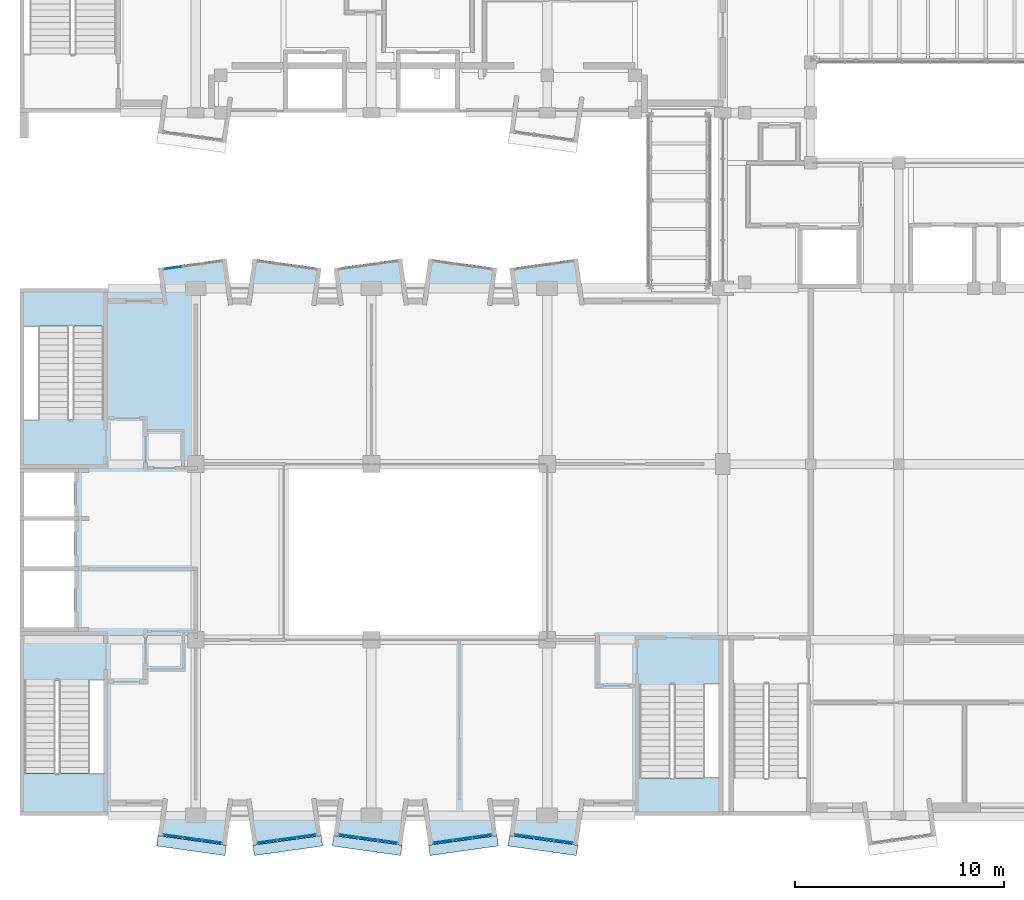
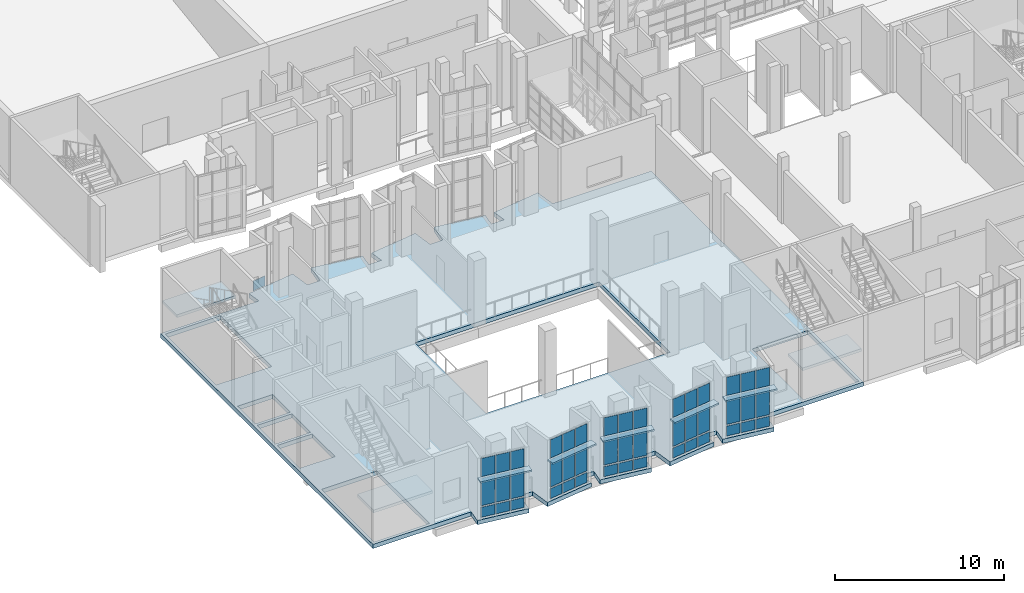
# One storey, part 29 of 86: 51 plates, 4 slabs, 9 elements without a shape of their own.
"""IFC4 building model written with IfcOpenShell, lengths in metres."""

import ifcopenshell
import ifcopenshell.guid

model = None  # the IFC model being written
_history = None  # IfcOwnerHistory: only IFC2X3 demands one
_inside = {}  # id of a spatial element -> (the spatial element, [elements in it])
_under = {}  # id of a project, library or spatial element -> (it, [spatial elements below it])
_declared = {}  # id of a project -> (the project, [libraries it declares])
_typed = {}  # id of a type object -> (the type object, [elements of that type])
_made_of = {}  # id of a material, layer set ... -> (it, [elements and type objects made of it])


def new_model(schema):
    """Start an empty IFC model of exactly this schema.

    Asked for "IFC4X3", IfcOpenShell would pick the latest addendum, in which some entities
    have other attributes; the version numbers below select the first issue.
    IFC2X3 requires an IfcOwnerHistory on every rooted entity: one is made here for all.
    """
    global model, _history
    if schema == "IFC4X3":
        model = ifcopenshell.file(schema_version=(4, 3, 0, 0))
    else:
        model = ifcopenshell.file(schema=schema)
    _inside.clear()
    _under.clear()
    _declared.clear()
    _typed.clear()
    _made_of.clear()
    _history = None
    if model.schema == "IFC2X3":
        org = make("IfcOrganization", Name="unknown")
        user = make(
            "IfcPersonAndOrganization",
            ThePerson=make("IfcPerson", FamilyName="unknown"),
            TheOrganization=org,
        )
        app = make(
            "IfcApplication",
            ApplicationDeveloper=org,
            Version="unknown",
            ApplicationFullName="unknown",
            ApplicationIdentifier="unknown",
        )
        _history = make(
            "IfcOwnerHistory",
            OwningUser=user,
            OwningApplication=app,
            ChangeAction="ADDED",
            CreationDate=0,
        )
    return model


def make(cls, **values):
    """One entity of the class cls with the attributes given. An attribute that is None is left unset."""
    return model.create_entity(
        cls, **{name: value for name, value in values.items() if value is not None}
    )


def rooted(cls, **values):
    """An entity with a GlobalId (a new one), such as an element, a storey or a relation."""
    return make(cls, GlobalId=ifcopenshell.guid.new(), OwnerHistory=_history, **values)


def si_unit(unit_type, name, prefix=None):
    """IfcSIUnit, for example si_unit("LENGTHUNIT", "METRE", prefix="MILLI")."""
    return make("IfcSIUnit", UnitType=unit_type, Prefix=prefix, Name=name)


def assignment(units):
    """IfcUnitAssignment: the units of a project."""
    return None if units is None else make("IfcUnitAssignment", Units=units)


def point(xyz):
    """IfcCartesianPoint."""
    return None if xyz is None else make("IfcCartesianPoint", Coordinates=xyz)


def direction(xyz):
    """IfcDirection."""
    return None if xyz is None else make("IfcDirection", DirectionRatios=xyz)


def frame(location, z_axis=None, x_axis=None):
    """IfcAxis2Placement3D, a coordinate frame: its origin and axes. An axis left out is left unset."""
    return make(
        "IfcAxis2Placement3D",
        Location=point(location),
        Axis=direction(z_axis),
        RefDirection=direction(x_axis),
    )


def frame_2d(location, x_axis=None):
    """IfcAxis2Placement2D, a coordinate frame in the plane: its origin and x axis."""
    return make(
        "IfcAxis2Placement2D", Location=point(location), RefDirection=direction(x_axis)
    )


def origin():
    """The frame at (0, 0, 0) with its axes left unset."""
    return frame((0.0, 0.0, 0.0))


def origin_2d():
    """The frame at (0, 0) in the plane with its x axis left unset."""
    return frame_2d((0.0, 0.0))


def place(relative_to, where):
    """IfcLocalPlacement: puts the frame where relative to a parent placement (None: the world)."""
    return make(
        "IfcLocalPlacement", PlacementRelTo=relative_to, RelativePlacement=where
    )


def context(
    kind, dimensions, precision=None, world=None, true_north=None, identifier=None
):
    """IfcGeometricRepresentationContext, for example the 3D "Model" context."""
    return make(
        "IfcGeometricRepresentationContext",
        ContextIdentifier=identifier,
        ContextType=kind,
        CoordinateSpaceDimension=dimensions,
        Precision=precision,
        WorldCoordinateSystem=world,
        TrueNorth=true_north,
    )


def subcontext(parent, identifier, kind, view, scale=None):
    """IfcGeometricRepresentationSubContext, for example "Body" below "Model"."""
    return make(
        "IfcGeometricRepresentationSubContext",
        ContextIdentifier=identifier,
        ContextType=kind,
        ParentContext=parent,
        TargetScale=scale,
        TargetView=view,
    )


def project(units=None, contexts=None):
    """IfcProject with its units and contexts."""
    return rooted(
        "IfcProject",
        Name="project",
        RepresentationContexts=contexts,
        UnitsInContext=assignment(units),
    )


def spatial(cls, under=None, at=None, **own):
    """A site, building, storey or space (cls), placed at a placement, below another one or the project."""
    s = rooted(cls, ObjectPlacement=at, **own)
    if under is not None:
        _under.setdefault(under.id(), (under, []))[1].append(s)
    return s


def polyline(points):
    """IfcPolyline through the points."""
    return make("IfcPolyline", Points=[point(p) for p in points])


def profile(cls, at=None, kind="AREA", **sizes):
    """A parametric profile (cls). Its sizes go by their IFC names, for example OverallWidth=200.0."""
    return make(cls, ProfileType=kind, Position=at, **sizes)


def rectangle(**sizes):
    """IfcRectangleProfileDef."""
    return profile("IfcRectangleProfileDef", **sizes)


def outline(outer, holes=None, kind="AREA"):
    """IfcArbitraryClosedProfileDef: a profile drawn as a closed curve; with holes, ...WithVoids."""
    if holes is None:
        return make("IfcArbitraryClosedProfileDef", ProfileType=kind, OuterCurve=outer)
    return make(
        "IfcArbitraryProfileDefWithVoids",
        ProfileType=kind,
        OuterCurve=outer,
        InnerCurves=holes,
    )


def extrude(swept, where, along, depth):
    """IfcExtrudedAreaSolid: the profile swept, set in the frame where, extruded along a direction by depth."""
    return make(
        "IfcExtrudedAreaSolid",
        SweptArea=swept,
        Position=where,
        ExtrudedDirection=direction(along),
        Depth=depth,
    )


def shape(context_of_items, identifier, shape_type, items):
    """IfcShapeRepresentation: the items that make up one representation, for example the "Body"."""
    return make(
        "IfcShapeRepresentation",
        ContextOfItems=context_of_items,
        RepresentationIdentifier=identifier,
        RepresentationType=shape_type,
        Items=items,
    )


def material(Name=None, Category=None):
    """IfcMaterial."""
    return make("IfcMaterial", Name=Name, Category=Category)


def layer(
    of_material, thickness, ventilated=None, Name=None, Category=None, Priority=None
):
    """IfcMaterialLayer: one layer of a wall or slab, of a material (None: an air gap)."""
    return make(
        "IfcMaterialLayer",
        Material=of_material,
        LayerThickness=thickness,
        IsVentilated=ventilated,
        Name=Name,
        Category=Category,
        Priority=Priority,
    )


def layer_set(layers, Name=None):
    """IfcMaterialLayerSet."""
    return make("IfcMaterialLayerSet", MaterialLayers=layers, LayerSetName=Name)


def made_of(thing, what):
    """Note that an element or type object is made of a material, layer set ...; save() writes the relation."""
    if what is not None:
        _made_of.setdefault(what.id(), (what, []))[1].append(thing)
    return thing


def type_object(cls, material=None, **own):
    """A type object (cls), such as IfcWallType, which elements share."""
    return made_of(rooted(cls, **own), material)


def element(
    cls,
    number,
    at=None,
    inside=None,
    cuts=None,
    type_object=None,
    material=None,
    context=None,
    identifier="Body",
    shape_type=None,
    held_by="IfcProductDefinitionShape",
    body=None,
    shapes=None,
    **own,
):
    """One element of the class cls, such as IfcWall. Its Tag is "e" and its number.

    at: its placement. inside: the storey or other place that contains it. cuts: it is an
    opening in that element (IfcRelVoidsElement). A single representation is given by context,
    identifier, shape_type and body (its items); several are given by shapes. held_by: the class
    of the entity that holds the representations. save() writes the other relations.
    """
    e = rooted(cls, Tag="e%d" % number, ObjectPlacement=at, **own)
    if body is not None:
        shapes = [shape(context, identifier, shape_type, body)]
    if shapes is not None:
        e.Representation = make(held_by, Representations=shapes)
    if inside is not None:
        _inside.setdefault(inside.id(), (inside, []))[1].append(e)
    if cuts is not None:
        rooted(
            "IfcRelVoidsElement", RelatingBuildingElement=cuts, RelatedOpeningElement=e
        )
    if type_object is not None:
        _typed.setdefault(type_object.id(), (type_object, []))[1].append(e)
    return made_of(e, material)


def aggregate(whole, parts):
    """IfcRelAggregates: a whole, such as a stair, and the parts it consists of."""
    return rooted("IfcRelAggregates", RelatingObject=whole, RelatedObjects=parts)


def save(model, path):
    """Write the relations noted so far, then the file.

    IfcRelAggregates (storeys below a building ...), IfcRelContainedInSpatialStructure (elements
    in a storey), IfcRelDefinesByType, IfcRelAssociatesMaterial and IfcRelDeclares: one each for
    every whole, place, type object, material and project.
    """
    for whole, parts in _under.values():
        aggregate(whole, parts)
    for where, things in _inside.values():
        rooted(
            "IfcRelContainedInSpatialStructure",
            RelatedElements=things,
            RelatingStructure=where,
        )
    for kind, things in _typed.values():
        rooted("IfcRelDefinesByType", RelatedObjects=things, RelatingType=kind)
    for what, things in _made_of.values():
        rooted("IfcRelAssociatesMaterial", RelatedObjects=things, RelatingMaterial=what)
    for by, libraries in _declared.values():
        rooted("IfcRelDeclares", RelatingContext=by, RelatedDefinitions=libraries)
    model.write(path)


model = new_model("IFC4")

# Units and contexts
model_context = context("Model", 3, precision=1e-05, world=origin(), true_north=direction((0.0, 1.0)))
body_context = subcontext(model_context, "Body", "Model", "MODEL_VIEW")
ifc_project = project(units=[si_unit("LENGTHUNIT", "METRE"), si_unit("AREAUNIT", "SQUARE_METRE"), si_unit("VOLUMEUNIT", "CUBIC_METRE"), si_unit("PLANEANGLEUNIT", "RADIAN"), si_unit("MASSUNIT", "GRAM", prefix="KILO")], contexts=[model_context])

# Site, building, storey
site_placement = place(None, origin())
site = spatial("IfcSite", under=ifc_project, at=site_placement, CompositionType="ELEMENT")
building_placement = place(site_placement, origin())
building = spatial("IfcBuilding", under=site, at=building_placement, Name="Kiln Court Media Centre", CompositionType="ELEMENT")
storey_placement = place(building_placement, frame((0.0, 0.0, 10.199951171875)))
storey = spatial("IfcBuildingStorey", under=building, at=storey_placement, Name="L02", CompositionType="ELEMENT", Elevation=10.199951171875)

# Slab
ifc_material_1 = material(Name="Concrete C30/37", Category="concrete")
ifc_layer_1 = layer(ifc_material_1, 0.300048828125)
ifc_layer_set_1 = layer_set([ifc_layer_1], Name="Concrete C30/37 floor slab 300")
slab_type_1 = type_object("IfcSlabType", Name="Concrete C30/37 floor slab 300", PredefinedType="FLOOR", material=ifc_layer_set_1)
slab_1_placement = place(storey_placement, frame((0.0, 0.0, -0.300048828125)))
element("IfcSlab", 1, at=slab_1_placement, inside=storey, type_object=slab_type_1, Name="L02-SL-1000", PredefinedType="FLOOR", context=body_context, shape_type="SweptSolid", body=[
    extrude(outline(polyline([(9.866943359375, -1.41845703125), (6.598876953125, -0.958984375), (6.7333984375, 0.0), (0.0, 0.0), (0.0, 25.199951171875), (6.7333984375, 25.199951171875), (6.598876953125, 26.1591796875), (9.866943359375, 26.618408203125), (10.066650390625, 25.199951171875), (10.933349609375, 25.199951171875), (11.133056640625, 26.618408203125), (14.401123046875, 26.1591796875), (14.2666015625, 25.199951171875), (15.13330078125, 25.199951171875), (14.998779296875, 26.1591796875), (18.266845703125, 26.618408203125), (18.466796875, 25.199951171875), (19.333251953125, 25.199951171875), (19.533203125, 26.618408203125), (22.801025390625, 26.1591796875), (22.666748046875, 25.199951171875), (23.533203125, 25.199951171875), (23.39892578125, 26.1591796875), (26.6669921875, 26.618408203125), (26.86669921875, 25.199951171875), (33.60009765625, 25.199951171875), (33.60009765625, 0.0), (26.86669921875, 0.0), (26.6669921875, -1.41845703125), (23.39892578125, -0.958984375), (23.533203125, 0.0), (22.666748046875, 0.0), (22.801025390625, -0.959228515625), (19.533203125, -1.41845703125), (19.333251953125, 0.0), (18.466796875, 0.0), (18.266845703125, -1.41845703125), (14.998779296875, -0.958984375), (15.13330078125, 0.0), (14.2666015625, 0.0), (14.401123046875, -0.959228515625), (11.133056640625, -1.41845703125), (10.933349609375, 0.0), (10.066650390625, 0.0), (9.866943359375, -1.41845703125)]), holes=[polyline([(0.199951171875, 0.199951171875), (4.0, 0.199951171875), (4.0, 6.4599609375), (0.199951171875, 6.4599609375), (0.199951171875, 0.199951171875)]), polyline([(29.60009765625, 0.199951171875), (33.39990234375, 0.199951171875), (33.39990234375, 6.260009765625), (29.60009765625, 6.260009765625), (29.60009765625, 0.199951171875)]), polyline([(12.60009765625, 8.39990234375), (25.199951171875, 8.39990234375), (25.199951171875, 16.800048828125), (12.60009765625, 16.800048828125), (12.60009765625, 8.39990234375)]), polyline([(0.199951171875, 9.0), (2.60009765625, 9.0), (2.60009765625, 11.699951171875), (0.199951171875, 11.699951171875), (0.199951171875, 9.0)]), polyline([(0.199951171875, 11.89990234375), (2.60009765625, 11.89990234375), (2.60009765625, 14.10009765625), (0.199951171875, 14.10009765625), (0.199951171875, 11.89990234375)]), polyline([(0.199951171875, 14.300048828125), (2.60009765625, 14.300048828125), (2.60009765625, 16.39990234375), (0.199951171875, 16.39990234375), (0.199951171875, 14.300048828125)]), polyline([(0.199951171875, 18.93994140625), (4.0, 18.93994140625), (4.0, 25.0), (0.199951171875, 25.0), (0.199951171875, 18.93994140625)])]), origin(), (0.0, 0.0, 1.0), 0.300048828125),
])

# Plates
ifc_material_2 = material(Name="Concrete C30/37", Category="concrete")
ifc_layer_2 = layer(ifc_material_2, 0.1201171875)
ifc_layer_set_2 = layer_set([ifc_layer_2], Name="Concrete C30/37 sunshade hood 120")
plate_type_1 = type_object("IfcPlateType", Name="Concrete C30/37 sunshade hood 120", PredefinedType="USERDEFINED", material=ifc_layer_set_2)
plate_1_placement = place(storey_placement, frame((0.0, 0.0, 3.0)))
element("IfcPlate", 2, at=plate_1_placement, inside=storey, type_object=plate_type_1, Name="SUNSHADE V6A-S-L02-10", ObjectType="SUNSHADE", PredefinedType="USERDEFINED", context=body_context, shape_type="SweptSolid", body=[
    extrude(outline(polyline([(6.59912109375, -0.958740234375), (9.866943359375, -1.41796875), (9.79736328125, -1.9130859375), (6.529541015625, -1.453857421875), (6.59912109375, -0.958740234375)])), origin(), (0.0, 0.0, 1.0), 0.1201171875),
])
plate_2_placement = place(storey_placement, frame((0.0, 0.0, 3.0)))
element("IfcPlate", 3, at=plate_2_placement, inside=storey, type_object=plate_type_1, Name="SUNSHADE V6A-S-L02-11", ObjectType="SUNSHADE", PredefinedType="USERDEFINED", context=body_context, shape_type="SweptSolid", body=[
    extrude(outline(polyline([(11.133056640625, -1.41796875), (14.40087890625, -0.958740234375), (14.470458984375, -1.453857421875), (11.20263671875, -1.9130859375), (11.133056640625, -1.41796875)])), origin(), (0.0, 0.0, 1.0), 0.1201171875),
])
plate_3_placement = place(storey_placement, frame((0.0, 0.0, 3.0)))
element("IfcPlate", 4, at=plate_3_placement, inside=storey, type_object=plate_type_1, Name="SUNSHADE V6A-S-L02-12", ObjectType="SUNSHADE", PredefinedType="USERDEFINED", context=body_context, shape_type="SweptSolid", body=[
    extrude(outline(polyline([(14.9990234375, -0.958740234375), (18.266845703125, -1.41796875), (18.197265625, -1.9130859375), (14.929443359375, -1.453857421875), (14.9990234375, -0.958740234375)])), origin(), (0.0, 0.0, 1.0), 0.1201171875),
])
plate_4_placement = place(storey_placement, frame((0.0, 0.0, 3.0)))
element("IfcPlate", 5, at=plate_4_placement, inside=storey, type_object=plate_type_1, Name="SUNSHADE V6A-S-L02-13", ObjectType="SUNSHADE", PredefinedType="USERDEFINED", context=body_context, shape_type="SweptSolid", body=[
    extrude(outline(polyline([(19.533203125, -1.41796875), (22.801025390625, -0.958740234375), (22.87060546875, -1.453857421875), (19.602783203125, -1.9130859375), (19.533203125, -1.41796875)])), origin(), (0.0, 0.0, 1.0), 0.1201171875),
])
plate_5_placement = place(storey_placement, frame((0.0, 0.0, 3.0)))
element("IfcPlate", 6, at=plate_5_placement, inside=storey, type_object=plate_type_1, Name="SUNSHADE V6A-S-L02-14", ObjectType="SUNSHADE", PredefinedType="USERDEFINED", context=body_context, shape_type="SweptSolid", body=[
    extrude(outline(polyline([(23.39892578125, -0.958740234375), (26.6669921875, -1.41796875), (26.597412109375, -1.9130859375), (23.32958984375, -1.453857421875), (23.39892578125, -0.958740234375)])), origin(), (0.0, 0.0, 1.0), 0.1201171875),
])

# Stair, slab
ifc_material_3 = material(Name="Concrete C40/50", Category="concrete")
stair_type = type_object("IfcStairType", Name="Concrete C40/50 dog-leg stair 1500 wide, 150 riser", PredefinedType="HALF_TURN_STAIR", material=ifc_material_3)
stair_1_placement = place(storey_placement, origin())
stair_1 = element("IfcStair", 7, at=stair_1_placement, inside=storey, type_object=stair_type, Name="ST-01 L02", PredefinedType="HALF_TURN_STAIR")
ifc_material_4 = material(Name="Concrete C40/50", Category="concrete")
ifc_layer_3 = layer(ifc_material_4, 0.199951171875)
ifc_layer_set_3 = layer_set([ifc_layer_3], Name="Concrete C40/50 stair landing 200")
slab_type_2 = type_object("IfcSlabType", Name="Concrete C40/50 stair landing 200", PredefinedType="LANDING", material=ifc_layer_set_3)
slab_2_placement = place(storey_placement, frame((0.0, 0.0, 2.199951171875)))
slab_2 = element("IfcSlab", 8, at=slab_2_placement, type_object=slab_type_2, Name="L02-ST-5000 landing 5000", PredefinedType="LANDING", context=body_context, shape_type="SweptSolid", body=[
    extrude(outline(polyline([(0.080078125, 2.0), (0.080078125, 0.080078125), (4.1201171875, 0.080078125), (4.1201171875, 2.0), (0.080078125, 2.0)])), origin(), (0.0, 0.0, 1.0), 0.2001953125),
])
aggregate(stair_1, [slab_2])

stair_2_placement = place(storey_placement, origin())
stair_2 = element("IfcStair", 9, at=stair_2_placement, inside=storey, type_object=stair_type, Name="ST-02 L02", PredefinedType="HALF_TURN_STAIR")
slab_3_placement = place(storey_placement, frame((0.0, 0.0, 2.199951171875)))
slab_3 = element("IfcSlab", 10, at=slab_3_placement, type_object=slab_type_2, Name="L02-ST-5001 landing 5001", PredefinedType="LANDING", context=body_context, shape_type="SweptSolid", body=[
    extrude(outline(polyline([(4.1201171875, 23.39990234375), (4.1201171875, 25.1201171875), (0.080078125, 25.1201171875), (0.080078125, 23.39990234375), (4.1201171875, 23.39990234375)])), origin(), (0.0, 0.0, 1.0), 0.2001953125),
])
aggregate(stair_2, [slab_3])

stair_3_placement = place(storey_placement, origin())
stair_3 = element("IfcStair", 11, at=stair_3_placement, inside=storey, type_object=stair_type, Name="ST-03 L02", PredefinedType="HALF_TURN_STAIR")
slab_4_placement = place(storey_placement, frame((0.0, 0.0, 2.199951171875)))
slab_4 = element("IfcSlab", 12, at=slab_4_placement, type_object=slab_type_2, Name="L02-ST-5002 landing 5002", PredefinedType="LANDING", context=body_context, shape_type="SweptSolid", body=[
    extrude(outline(polyline([(29.47998046875, 1.800048828125), (29.47998046875, 0.080078125), (33.52001953125, 0.080078125), (33.52001953125, 1.800048828125), (29.47998046875, 1.800048828125)])), origin(), (0.0, 0.0, 1.0), 0.2001953125),
])
aggregate(stair_3, [slab_4])

# Curtain wall, plate
ifc_material_5 = material(Name="Aluminium 6063-T6", Category="aluminium")
ifc_layer_4 = layer(ifc_material_5, 0.1201171875)
ifc_layer_set_4 = layer_set([ifc_layer_4], Name="Aluminium unitised bay curtain wall")
curtain_wall_type = type_object("IfcCurtainWallType", Name="Aluminium unitised bay curtain wall", PredefinedType="USERDEFINED", material=ifc_layer_set_4)
curtain_wall_1_placement = place(storey_placement, origin())
curtain_wall_1 = element("IfcCurtainWall", 13, at=curtain_wall_1_placement, inside=storey, type_object=curtain_wall_type, Name="BAY V6A-N-L02-10 front", ObjectType="UNITISED CURTAIN WALL", PredefinedType="USERDEFINED")
ifc_material_6 = material(Name="Aluminium insulated spandrel", Category="aluminium")
ifc_layer_5 = layer(ifc_material_6, 0.028076171875)
ifc_layer_set_5 = layer_set([ifc_layer_5], Name="Insulated spandrel panel 28")
plate_type_2 = type_object("IfcPlateType", Name="Insulated spandrel panel 28", PredefinedType="CURTAIN_PANEL", material=ifc_layer_set_5)
plate_6_placement = place(storey_placement, frame((7.3115234375, 26.177978515625, 0.1201171875), z_axis=(0.0, 0.0, 1.0), x_axis=(0.990269562409, 0.139162472554, 0.0)))
plate_6 = element("IfcPlate", 14, at=plate_6_placement, type_object=plate_type_2, Name="CW2-03 panel 1.1", PredefinedType="CURTAIN_PANEL", context=body_context, shape_type="SweptSolid", body=[
    extrude(rectangle(XDim=0.86669921875, YDim=0.028076171875, at=origin_2d()), origin(), (0.0, 0.0, 1.0), 0.719970703125),
])
aggregate(curtain_wall_1, [plate_6])

# Curtain wall, plates
curtain_wall_2_placement = place(storey_placement, origin())
curtain_wall_2 = element("IfcCurtainWall", 15, at=curtain_wall_2_placement, inside=storey, type_object=curtain_wall_type, Name="BAY V6A-S-L02-10 front", ObjectType="UNITISED CURTAIN WALL", PredefinedType="USERDEFINED")
plate_7_placement = place(storey_placement, frame((7.3115234375, -0.97802734375, 0.1201171875), z_axis=(0.0, 0.0, 1.0), x_axis=(0.990269562409, -0.139162472554, 0.0)))
plate_7 = element("IfcPlate", 16, at=plate_7_placement, type_object=plate_type_2, Name="CW2-08 panel 1.1", PredefinedType="CURTAIN_PANEL", context=body_context, shape_type="SweptSolid", body=[
    extrude(rectangle(XDim=0.86669921875, YDim=0.028076171875, at=origin_2d()), origin(), (0.0, 0.0, 1.0), 0.719970703125),
])
plate_8_placement = place(storey_placement, frame((8.244140625, -1.109130859375, 0.1201171875), z_axis=(0.0, 0.0, 1.0), x_axis=(0.990269562409, -0.139162472554, 0.0)))
plate_8 = element("IfcPlate", 17, at=plate_8_placement, type_object=plate_type_2, Name="CW2-08 panel 2.1", PredefinedType="CURTAIN_PANEL", context=body_context, shape_type="SweptSolid", body=[
    extrude(rectangle(XDim=0.896728515625, YDim=0.028076171875, at=origin_2d()), origin(), (0.0, 0.0, 1.0), 0.719970703125),
])
plate_9_placement = place(storey_placement, frame((9.1767578125, -1.240234375, 0.1201171875), z_axis=(0.0, 0.0, 1.0), x_axis=(0.990269562409, -0.139162472554, 0.0)))
plate_9 = element("IfcPlate", 18, at=plate_9_placement, type_object=plate_type_2, Name="CW2-08 panel 3.1", PredefinedType="CURTAIN_PANEL", context=body_context, shape_type="SweptSolid", body=[
    extrude(rectangle(XDim=0.86669921875, YDim=0.028076171875, at=origin_2d()), origin(), (0.0, 0.0, 1.0), 0.719970703125),
])

curtain_wall_3_placement = place(storey_placement, origin())
curtain_wall_3 = element("IfcCurtainWall", 19, at=curtain_wall_3_placement, inside=storey, type_object=curtain_wall_type, Name="BAY V6A-S-L02-11 front", ObjectType="UNITISED CURTAIN WALL", PredefinedType="USERDEFINED")
plate_10_placement = place(storey_placement, frame((11.8232421875, -1.240234375, 0.1201171875), z_axis=(0.0, 0.0, 1.0), x_axis=(0.990269562409, 0.139162472554, 0.0)))
plate_10 = element("IfcPlate", 20, at=plate_10_placement, type_object=plate_type_2, Name="CW2-09 panel 1.1", PredefinedType="CURTAIN_PANEL", context=body_context, shape_type="SweptSolid", body=[
    extrude(rectangle(XDim=0.86669921875, YDim=0.028076171875, at=origin_2d()), origin(), (0.0, 0.0, 1.0), 0.719970703125),
])
plate_11_placement = place(storey_placement, frame((12.755859375, -1.109130859375, 0.1201171875), z_axis=(0.0, 0.0, 1.0), x_axis=(0.990269562409, 0.139162472554, 0.0)))
plate_11 = element("IfcPlate", 21, at=plate_11_placement, type_object=plate_type_2, Name="CW2-09 panel 2.1", PredefinedType="CURTAIN_PANEL", context=body_context, shape_type="SweptSolid", body=[
    extrude(rectangle(XDim=0.896728515625, YDim=0.028076171875, at=origin_2d()), origin(), (0.0, 0.0, 1.0), 0.719970703125),
])
plate_12_placement = place(storey_placement, frame((13.6884765625, -0.97802734375, 0.1201171875), z_axis=(0.0, 0.0, 1.0), x_axis=(0.990269562409, 0.139162472554, 0.0)))
plate_12 = element("IfcPlate", 22, at=plate_12_placement, type_object=plate_type_2, Name="CW2-09 panel 3.1", PredefinedType="CURTAIN_PANEL", context=body_context, shape_type="SweptSolid", body=[
    extrude(rectangle(XDim=0.86669921875, YDim=0.028076171875, at=origin_2d()), origin(), (0.0, 0.0, 1.0), 0.719970703125),
])

curtain_wall_4_placement = place(storey_placement, origin())
curtain_wall_4 = element("IfcCurtainWall", 23, at=curtain_wall_4_placement, inside=storey, type_object=curtain_wall_type, Name="BAY V6A-S-L02-12 front", ObjectType="UNITISED CURTAIN WALL", PredefinedType="USERDEFINED")
plate_13_placement = place(storey_placement, frame((15.711669921875, -0.97802734375, 0.1201171875), z_axis=(0.0, 0.0, 1.0), x_axis=(0.990269562409, -0.139162472554, 0.0)))
plate_13 = element("IfcPlate", 24, at=plate_13_placement, type_object=plate_type_2, Name="CW2-10 panel 1.1", PredefinedType="CURTAIN_PANEL", context=body_context, shape_type="SweptSolid", body=[
    extrude(rectangle(XDim=0.86669921875, YDim=0.028076171875, at=origin_2d()), origin(), (0.0, 0.0, 1.0), 0.719970703125),
])
plate_14_placement = place(storey_placement, frame((16.64404296875, -1.109130859375, 0.1201171875), z_axis=(0.0, 0.0, 1.0), x_axis=(0.990269562409, -0.139162472554, 0.0)))
plate_14 = element("IfcPlate", 25, at=plate_14_placement, type_object=plate_type_2, Name="CW2-10 panel 2.1", PredefinedType="CURTAIN_PANEL", context=body_context, shape_type="SweptSolid", body=[
    extrude(rectangle(XDim=0.896728515625, YDim=0.028076171875, at=origin_2d()), origin(), (0.0, 0.0, 1.0), 0.719970703125),
])
plate_15_placement = place(storey_placement, frame((17.57666015625, -1.240234375, 0.1201171875), z_axis=(0.0, 0.0, 1.0), x_axis=(0.990269562409, -0.139162472554, 0.0)))
plate_15 = element("IfcPlate", 26, at=plate_15_placement, type_object=plate_type_2, Name="CW2-10 panel 3.1", PredefinedType="CURTAIN_PANEL", context=body_context, shape_type="SweptSolid", body=[
    extrude(rectangle(XDim=0.86669921875, YDim=0.028076171875, at=origin_2d()), origin(), (0.0, 0.0, 1.0), 0.719970703125),
])

curtain_wall_5_placement = place(storey_placement, origin())
curtain_wall_5 = element("IfcCurtainWall", 27, at=curtain_wall_5_placement, inside=storey, type_object=curtain_wall_type, Name="BAY V6A-S-L02-13 front", ObjectType="UNITISED CURTAIN WALL", PredefinedType="USERDEFINED")
plate_16_placement = place(storey_placement, frame((20.223388671875, -1.240234375, 0.1201171875), z_axis=(0.0, 0.0, 1.0), x_axis=(0.990269562409, 0.139162472554, 0.0)))
plate_16 = element("IfcPlate", 28, at=plate_16_placement, type_object=plate_type_2, Name="CW2-11 panel 1.1", PredefinedType="CURTAIN_PANEL", context=body_context, shape_type="SweptSolid", body=[
    extrude(rectangle(XDim=0.86669921875, YDim=0.028076171875, at=origin_2d()), origin(), (0.0, 0.0, 1.0), 0.719970703125),
])
plate_17_placement = place(storey_placement, frame((21.15576171875, -1.109130859375, 0.1201171875), z_axis=(0.0, 0.0, 1.0), x_axis=(0.990269562409, 0.139162472554, 0.0)))
plate_17 = element("IfcPlate", 29, at=plate_17_placement, type_object=plate_type_2, Name="CW2-11 panel 2.1", PredefinedType="CURTAIN_PANEL", context=body_context, shape_type="SweptSolid", body=[
    extrude(rectangle(XDim=0.896728515625, YDim=0.028076171875, at=origin_2d()), origin(), (0.0, 0.0, 1.0), 0.719970703125),
])
plate_18_placement = place(storey_placement, frame((22.08837890625, -0.97802734375, 0.1201171875), z_axis=(0.0, 0.0, 1.0), x_axis=(0.990269562409, 0.139162472554, 0.0)))
plate_18 = element("IfcPlate", 30, at=plate_18_placement, type_object=plate_type_2, Name="CW2-11 panel 3.1", PredefinedType="CURTAIN_PANEL", context=body_context, shape_type="SweptSolid", body=[
    extrude(rectangle(XDim=0.86669921875, YDim=0.028076171875, at=origin_2d()), origin(), (0.0, 0.0, 1.0), 0.719970703125),
])

curtain_wall_6_placement = place(storey_placement, origin())
curtain_wall_6 = element("IfcCurtainWall", 31, at=curtain_wall_6_placement, inside=storey, type_object=curtain_wall_type, Name="BAY V6A-S-L02-14 front", ObjectType="UNITISED CURTAIN WALL", PredefinedType="USERDEFINED")
plate_19_placement = place(storey_placement, frame((24.111572265625, -0.97802734375, 0.1201171875), z_axis=(0.0, 0.0, 1.0), x_axis=(0.990269562409, -0.139162472554, 0.0)))
plate_19 = element("IfcPlate", 32, at=plate_19_placement, type_object=plate_type_2, Name="CW2-12 panel 1.1", PredefinedType="CURTAIN_PANEL", context=body_context, shape_type="SweptSolid", body=[
    extrude(rectangle(XDim=0.86669921875, YDim=0.028076171875, at=origin_2d()), origin(), (0.0, 0.0, 1.0), 0.719970703125),
])
plate_20_placement = place(storey_placement, frame((25.044189453125, -1.109130859375, 0.1201171875), z_axis=(0.0, 0.0, 1.0), x_axis=(0.990269562409, -0.139162472554, 0.0)))
plate_20 = element("IfcPlate", 33, at=plate_20_placement, type_object=plate_type_2, Name="CW2-12 panel 2.1", PredefinedType="CURTAIN_PANEL", context=body_context, shape_type="SweptSolid", body=[
    extrude(rectangle(XDim=0.896728515625, YDim=0.028076171875, at=origin_2d()), origin(), (0.0, 0.0, 1.0), 0.719970703125),
])
plate_21_placement = place(storey_placement, frame((25.9765625, -1.240234375, 0.1201171875), z_axis=(0.0, 0.0, 1.0), x_axis=(0.990269562409, -0.139162472554, 0.0)))
plate_21 = element("IfcPlate", 34, at=plate_21_placement, type_object=plate_type_2, Name="CW2-12 panel 3.1", PredefinedType="CURTAIN_PANEL", context=body_context, shape_type="SweptSolid", body=[
    extrude(rectangle(XDim=0.86669921875, YDim=0.028076171875, at=origin_2d()), origin(), (0.0, 0.0, 1.0), 0.719970703125),
])

# Plate
ifc_material_7 = material(Name="Low-E double glazing", Category="glass")
ifc_layer_6 = layer(ifc_material_7, 0.028076171875)
ifc_layer_set_6 = layer_set([ifc_layer_6], Name="Low-E double glazed panel 28")
plate_type_3 = type_object("IfcPlateType", Name="Low-E double glazed panel 28", PredefinedType="CURTAIN_PANEL", material=ifc_layer_set_6)
plate_22_placement = place(storey_placement, frame((7.3115234375, -0.97802734375, 0.9599609375), z_axis=(0.0, 0.0, 1.0), x_axis=(0.990269562409, -0.139162472554, 0.0)))
plate_22 = element("IfcPlate", 35, at=plate_22_placement, type_object=plate_type_3, Name="CW2-08 panel 1.2", PredefinedType="CURTAIN_PANEL", context=body_context, shape_type="SweptSolid", body=[
    extrude(rectangle(XDim=0.86669921875, YDim=0.028076171875, at=origin_2d()), origin(), (0.0, 0.0, 1.0), 1.97998046875),
])

plate_23_placement = place(storey_placement, frame((7.3115234375, -0.97802734375, 3.06005859375), z_axis=(0.0, 0.0, 1.0), x_axis=(0.990269562409, -0.139162472554, 0.0)))
plate_23 = element("IfcPlate", 36, at=plate_23_placement, type_object=plate_type_3, Name="CW2-08 panel 1.3", PredefinedType="CURTAIN_PANEL", context=body_context, shape_type="SweptSolid", body=[
    extrude(rectangle(XDim=0.86669921875, YDim=0.028076171875, at=origin_2d()), origin(), (0.0, 0.0, 1.0), 1.320068359375),
])

plate_24_placement = place(storey_placement, frame((8.244140625, -1.109130859375, 0.9599609375), z_axis=(0.0, 0.0, 1.0), x_axis=(0.990269562409, -0.139162472554, 0.0)))
plate_24 = element("IfcPlate", 37, at=plate_24_placement, type_object=plate_type_3, Name="CW2-08 panel 2.2", PredefinedType="CURTAIN_PANEL", context=body_context, shape_type="SweptSolid", body=[
    extrude(rectangle(XDim=0.896728515625, YDim=0.028076171875, at=origin_2d()), origin(), (0.0, 0.0, 1.0), 1.97998046875),
])

plate_25_placement = place(storey_placement, frame((8.244140625, -1.109130859375, 3.06005859375), z_axis=(0.0, 0.0, 1.0), x_axis=(0.990269562409, -0.139162472554, 0.0)))
plate_25 = element("IfcPlate", 38, at=plate_25_placement, type_object=plate_type_3, Name="CW2-08 panel 2.3", PredefinedType="CURTAIN_PANEL", context=body_context, shape_type="SweptSolid", body=[
    extrude(rectangle(XDim=0.896728515625, YDim=0.028076171875, at=origin_2d()), origin(), (0.0, 0.0, 1.0), 1.320068359375),
])

plate_26_placement = place(storey_placement, frame((9.1767578125, -1.240234375, 0.9599609375), z_axis=(0.0, 0.0, 1.0), x_axis=(0.990269562409, -0.139162472554, 0.0)))
plate_26 = element("IfcPlate", 39, at=plate_26_placement, type_object=plate_type_3, Name="CW2-08 panel 3.2", PredefinedType="CURTAIN_PANEL", context=body_context, shape_type="SweptSolid", body=[
    extrude(rectangle(XDim=0.86669921875, YDim=0.028076171875, at=origin_2d()), origin(), (0.0, 0.0, 1.0), 1.97998046875),
])

plate_27_placement = place(storey_placement, frame((9.1767578125, -1.240234375, 3.06005859375), z_axis=(0.0, 0.0, 1.0), x_axis=(0.990269562409, -0.139162472554, 0.0)))
plate_27 = element("IfcPlate", 40, at=plate_27_placement, type_object=plate_type_3, Name="CW2-08 panel 3.3", PredefinedType="CURTAIN_PANEL", context=body_context, shape_type="SweptSolid", body=[
    extrude(rectangle(XDim=0.86669921875, YDim=0.028076171875, at=origin_2d()), origin(), (0.0, 0.0, 1.0), 1.320068359375),
])

aggregate(curtain_wall_2, [plate_7, plate_22, plate_23, plate_8, plate_24, plate_25, plate_9, plate_26, plate_27])

plate_28_placement = place(storey_placement, frame((11.8232421875, -1.240234375, 0.9599609375), z_axis=(0.0, 0.0, 1.0), x_axis=(0.990269562409, 0.139162472554, 0.0)))
plate_28 = element("IfcPlate", 41, at=plate_28_placement, type_object=plate_type_3, Name="CW2-09 panel 1.2", PredefinedType="CURTAIN_PANEL", context=body_context, shape_type="SweptSolid", body=[
    extrude(rectangle(XDim=0.86669921875, YDim=0.028076171875, at=origin_2d()), origin(), (0.0, 0.0, 1.0), 1.97998046875),
])

plate_29_placement = place(storey_placement, frame((11.8232421875, -1.240234375, 3.06005859375), z_axis=(0.0, 0.0, 1.0), x_axis=(0.990269562409, 0.139162472554, 0.0)))
plate_29 = element("IfcPlate", 42, at=plate_29_placement, type_object=plate_type_3, Name="CW2-09 panel 1.3", PredefinedType="CURTAIN_PANEL", context=body_context, shape_type="SweptSolid", body=[
    extrude(rectangle(XDim=0.86669921875, YDim=0.028076171875, at=origin_2d()), origin(), (0.0, 0.0, 1.0), 1.320068359375),
])

plate_30_placement = place(storey_placement, frame((12.755859375, -1.109130859375, 0.9599609375), z_axis=(0.0, 0.0, 1.0), x_axis=(0.990269562409, 0.139162472554, 0.0)))
plate_30 = element("IfcPlate", 43, at=plate_30_placement, type_object=plate_type_3, Name="CW2-09 panel 2.2", PredefinedType="CURTAIN_PANEL", context=body_context, shape_type="SweptSolid", body=[
    extrude(rectangle(XDim=0.896728515625, YDim=0.028076171875, at=origin_2d()), origin(), (0.0, 0.0, 1.0), 1.97998046875),
])

plate_31_placement = place(storey_placement, frame((12.755859375, -1.109130859375, 3.06005859375), z_axis=(0.0, 0.0, 1.0), x_axis=(0.990269562409, 0.139162472554, 0.0)))
plate_31 = element("IfcPlate", 44, at=plate_31_placement, type_object=plate_type_3, Name="CW2-09 panel 2.3", PredefinedType="CURTAIN_PANEL", context=body_context, shape_type="SweptSolid", body=[
    extrude(rectangle(XDim=0.896728515625, YDim=0.028076171875, at=origin_2d()), origin(), (0.0, 0.0, 1.0), 1.320068359375),
])

plate_32_placement = place(storey_placement, frame((13.6884765625, -0.97802734375, 0.9599609375), z_axis=(0.0, 0.0, 1.0), x_axis=(0.990269562409, 0.139162472554, 0.0)))
plate_32 = element("IfcPlate", 45, at=plate_32_placement, type_object=plate_type_3, Name="CW2-09 panel 3.2", PredefinedType="CURTAIN_PANEL", context=body_context, shape_type="SweptSolid", body=[
    extrude(rectangle(XDim=0.86669921875, YDim=0.028076171875, at=origin_2d()), origin(), (0.0, 0.0, 1.0), 1.97998046875),
])

plate_33_placement = place(storey_placement, frame((13.6884765625, -0.97802734375, 3.06005859375), z_axis=(0.0, 0.0, 1.0), x_axis=(0.990269562409, 0.139162472554, 0.0)))
plate_33 = element("IfcPlate", 46, at=plate_33_placement, type_object=plate_type_3, Name="CW2-09 panel 3.3", PredefinedType="CURTAIN_PANEL", context=body_context, shape_type="SweptSolid", body=[
    extrude(rectangle(XDim=0.86669921875, YDim=0.028076171875, at=origin_2d()), origin(), (0.0, 0.0, 1.0), 1.320068359375),
])

aggregate(curtain_wall_3, [plate_10, plate_28, plate_29, plate_11, plate_30, plate_31, plate_12, plate_32, plate_33])

plate_34_placement = place(storey_placement, frame((15.711669921875, -0.97802734375, 0.9599609375), z_axis=(0.0, 0.0, 1.0), x_axis=(0.990269562409, -0.139162472554, 0.0)))
plate_34 = element("IfcPlate", 47, at=plate_34_placement, type_object=plate_type_3, Name="CW2-10 panel 1.2", PredefinedType="CURTAIN_PANEL", context=body_context, shape_type="SweptSolid", body=[
    extrude(rectangle(XDim=0.86669921875, YDim=0.028076171875, at=origin_2d()), origin(), (0.0, 0.0, 1.0), 1.97998046875),
])

plate_35_placement = place(storey_placement, frame((15.711669921875, -0.97802734375, 3.06005859375), z_axis=(0.0, 0.0, 1.0), x_axis=(0.990269562409, -0.139162472554, 0.0)))
plate_35 = element("IfcPlate", 48, at=plate_35_placement, type_object=plate_type_3, Name="CW2-10 panel 1.3", PredefinedType="CURTAIN_PANEL", context=body_context, shape_type="SweptSolid", body=[
    extrude(rectangle(XDim=0.86669921875, YDim=0.028076171875, at=origin_2d()), origin(), (0.0, 0.0, 1.0), 1.320068359375),
])

plate_36_placement = place(storey_placement, frame((16.64404296875, -1.109130859375, 0.9599609375), z_axis=(0.0, 0.0, 1.0), x_axis=(0.990269562409, -0.139162472554, 0.0)))
plate_36 = element("IfcPlate", 49, at=plate_36_placement, type_object=plate_type_3, Name="CW2-10 panel 2.2", PredefinedType="CURTAIN_PANEL", context=body_context, shape_type="SweptSolid", body=[
    extrude(rectangle(XDim=0.896728515625, YDim=0.028076171875, at=origin_2d()), origin(), (0.0, 0.0, 1.0), 1.97998046875),
])

plate_37_placement = place(storey_placement, frame((16.64404296875, -1.109130859375, 3.06005859375), z_axis=(0.0, 0.0, 1.0), x_axis=(0.990269562409, -0.139162472554, 0.0)))
plate_37 = element("IfcPlate", 50, at=plate_37_placement, type_object=plate_type_3, Name="CW2-10 panel 2.3", PredefinedType="CURTAIN_PANEL", context=body_context, shape_type="SweptSolid", body=[
    extrude(rectangle(XDim=0.896728515625, YDim=0.028076171875, at=origin_2d()), origin(), (0.0, 0.0, 1.0), 1.320068359375),
])

plate_38_placement = place(storey_placement, frame((17.57666015625, -1.240234375, 0.9599609375), z_axis=(0.0, 0.0, 1.0), x_axis=(0.990269562409, -0.139162472554, 0.0)))
plate_38 = element("IfcPlate", 51, at=plate_38_placement, type_object=plate_type_3, Name="CW2-10 panel 3.2", PredefinedType="CURTAIN_PANEL", context=body_context, shape_type="SweptSolid", body=[
    extrude(rectangle(XDim=0.86669921875, YDim=0.028076171875, at=origin_2d()), origin(), (0.0, 0.0, 1.0), 1.97998046875),
])

plate_39_placement = place(storey_placement, frame((17.57666015625, -1.240234375, 3.06005859375), z_axis=(0.0, 0.0, 1.0), x_axis=(0.990269562409, -0.139162472554, 0.0)))
plate_39 = element("IfcPlate", 52, at=plate_39_placement, type_object=plate_type_3, Name="CW2-10 panel 3.3", PredefinedType="CURTAIN_PANEL", context=body_context, shape_type="SweptSolid", body=[
    extrude(rectangle(XDim=0.86669921875, YDim=0.028076171875, at=origin_2d()), origin(), (0.0, 0.0, 1.0), 1.320068359375),
])

aggregate(curtain_wall_4, [plate_13, plate_34, plate_35, plate_14, plate_36, plate_37, plate_15, plate_38, plate_39])

plate_40_placement = place(storey_placement, frame((20.223388671875, -1.240234375, 0.9599609375), z_axis=(0.0, 0.0, 1.0), x_axis=(0.990269562409, 0.139162472554, 0.0)))
plate_40 = element("IfcPlate", 53, at=plate_40_placement, type_object=plate_type_3, Name="CW2-11 panel 1.2", PredefinedType="CURTAIN_PANEL", context=body_context, shape_type="SweptSolid", body=[
    extrude(rectangle(XDim=0.86669921875, YDim=0.028076171875, at=origin_2d()), origin(), (0.0, 0.0, 1.0), 1.97998046875),
])

plate_41_placement = place(storey_placement, frame((20.223388671875, -1.240234375, 3.06005859375), z_axis=(0.0, 0.0, 1.0), x_axis=(0.990269562409, 0.139162472554, 0.0)))
plate_41 = element("IfcPlate", 54, at=plate_41_placement, type_object=plate_type_3, Name="CW2-11 panel 1.3", PredefinedType="CURTAIN_PANEL", context=body_context, shape_type="SweptSolid", body=[
    extrude(rectangle(XDim=0.86669921875, YDim=0.028076171875, at=origin_2d()), origin(), (0.0, 0.0, 1.0), 1.320068359375),
])

plate_42_placement = place(storey_placement, frame((21.15576171875, -1.109130859375, 0.9599609375), z_axis=(0.0, 0.0, 1.0), x_axis=(0.990269562409, 0.139162472554, 0.0)))
plate_42 = element("IfcPlate", 55, at=plate_42_placement, type_object=plate_type_3, Name="CW2-11 panel 2.2", PredefinedType="CURTAIN_PANEL", context=body_context, shape_type="SweptSolid", body=[
    extrude(rectangle(XDim=0.896728515625, YDim=0.028076171875, at=origin_2d()), origin(), (0.0, 0.0, 1.0), 1.97998046875),
])

plate_43_placement = place(storey_placement, frame((21.15576171875, -1.109130859375, 3.06005859375), z_axis=(0.0, 0.0, 1.0), x_axis=(0.990269562409, 0.139162472554, 0.0)))
plate_43 = element("IfcPlate", 56, at=plate_43_placement, type_object=plate_type_3, Name="CW2-11 panel 2.3", PredefinedType="CURTAIN_PANEL", context=body_context, shape_type="SweptSolid", body=[
    extrude(rectangle(XDim=0.896728515625, YDim=0.028076171875, at=origin_2d()), origin(), (0.0, 0.0, 1.0), 1.320068359375),
])

plate_44_placement = place(storey_placement, frame((22.08837890625, -0.97802734375, 0.9599609375), z_axis=(0.0, 0.0, 1.0), x_axis=(0.990269562409, 0.139162472554, 0.0)))
plate_44 = element("IfcPlate", 57, at=plate_44_placement, type_object=plate_type_3, Name="CW2-11 panel 3.2", PredefinedType="CURTAIN_PANEL", context=body_context, shape_type="SweptSolid", body=[
    extrude(rectangle(XDim=0.86669921875, YDim=0.028076171875, at=origin_2d()), origin(), (0.0, 0.0, 1.0), 1.97998046875),
])

plate_45_placement = place(storey_placement, frame((22.08837890625, -0.97802734375, 3.06005859375), z_axis=(0.0, 0.0, 1.0), x_axis=(0.990269562409, 0.139162472554, 0.0)))
plate_45 = element("IfcPlate", 58, at=plate_45_placement, type_object=plate_type_3, Name="CW2-11 panel 3.3", PredefinedType="CURTAIN_PANEL", context=body_context, shape_type="SweptSolid", body=[
    extrude(rectangle(XDim=0.86669921875, YDim=0.028076171875, at=origin_2d()), origin(), (0.0, 0.0, 1.0), 1.320068359375),
])

aggregate(curtain_wall_5, [plate_16, plate_40, plate_41, plate_17, plate_42, plate_43, plate_18, plate_44, plate_45])

plate_46_placement = place(storey_placement, frame((24.111572265625, -0.97802734375, 0.9599609375), z_axis=(0.0, 0.0, 1.0), x_axis=(0.990269562409, -0.139162472554, 0.0)))
plate_46 = element("IfcPlate", 59, at=plate_46_placement, type_object=plate_type_3, Name="CW2-12 panel 1.2", PredefinedType="CURTAIN_PANEL", context=body_context, shape_type="SweptSolid", body=[
    extrude(rectangle(XDim=0.86669921875, YDim=0.028076171875, at=origin_2d()), origin(), (0.0, 0.0, 1.0), 1.97998046875),
])

plate_47_placement = place(storey_placement, frame((24.111572265625, -0.97802734375, 3.06005859375), z_axis=(0.0, 0.0, 1.0), x_axis=(0.990269562409, -0.139162472554, 0.0)))
plate_47 = element("IfcPlate", 60, at=plate_47_placement, type_object=plate_type_3, Name="CW2-12 panel 1.3", PredefinedType="CURTAIN_PANEL", context=body_context, shape_type="SweptSolid", body=[
    extrude(rectangle(XDim=0.86669921875, YDim=0.028076171875, at=origin_2d()), origin(), (0.0, 0.0, 1.0), 1.320068359375),
])

plate_48_placement = place(storey_placement, frame((25.044189453125, -1.109130859375, 0.9599609375), z_axis=(0.0, 0.0, 1.0), x_axis=(0.990269562409, -0.139162472554, 0.0)))
plate_48 = element("IfcPlate", 61, at=plate_48_placement, type_object=plate_type_3, Name="CW2-12 panel 2.2", PredefinedType="CURTAIN_PANEL", context=body_context, shape_type="SweptSolid", body=[
    extrude(rectangle(XDim=0.896728515625, YDim=0.028076171875, at=origin_2d()), origin(), (0.0, 0.0, 1.0), 1.97998046875),
])

plate_49_placement = place(storey_placement, frame((25.044189453125, -1.109130859375, 3.06005859375), z_axis=(0.0, 0.0, 1.0), x_axis=(0.990269562409, -0.139162472554, 0.0)))
plate_49 = element("IfcPlate", 62, at=plate_49_placement, type_object=plate_type_3, Name="CW2-12 panel 2.3", PredefinedType="CURTAIN_PANEL", context=body_context, shape_type="SweptSolid", body=[
    extrude(rectangle(XDim=0.896728515625, YDim=0.028076171875, at=origin_2d()), origin(), (0.0, 0.0, 1.0), 1.320068359375),
])

plate_50_placement = place(storey_placement, frame((25.9765625, -1.240234375, 0.9599609375), z_axis=(0.0, 0.0, 1.0), x_axis=(0.990269562409, -0.139162472554, 0.0)))
plate_50 = element("IfcPlate", 63, at=plate_50_placement, type_object=plate_type_3, Name="CW2-12 panel 3.2", PredefinedType="CURTAIN_PANEL", context=body_context, shape_type="SweptSolid", body=[
    extrude(rectangle(XDim=0.86669921875, YDim=0.028076171875, at=origin_2d()), origin(), (0.0, 0.0, 1.0), 1.97998046875),
])

plate_51_placement = place(storey_placement, frame((25.9765625, -1.240234375, 3.06005859375), z_axis=(0.0, 0.0, 1.0), x_axis=(0.990269562409, -0.139162472554, 0.0)))
plate_51 = element("IfcPlate", 64, at=plate_51_placement, type_object=plate_type_3, Name="CW2-12 panel 3.3", PredefinedType="CURTAIN_PANEL", context=body_context, shape_type="SweptSolid", body=[
    extrude(rectangle(XDim=0.86669921875, YDim=0.028076171875, at=origin_2d()), origin(), (0.0, 0.0, 1.0), 1.320068359375),
])

aggregate(curtain_wall_6, [plate_19, plate_46, plate_47, plate_20, plate_48, plate_49, plate_21, plate_50, plate_51])

save(model, "model.ifc")
